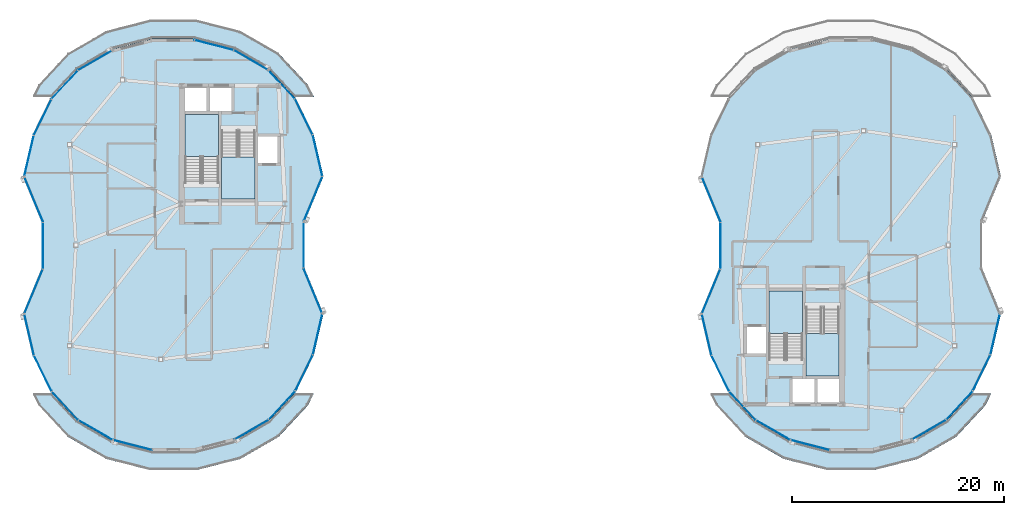
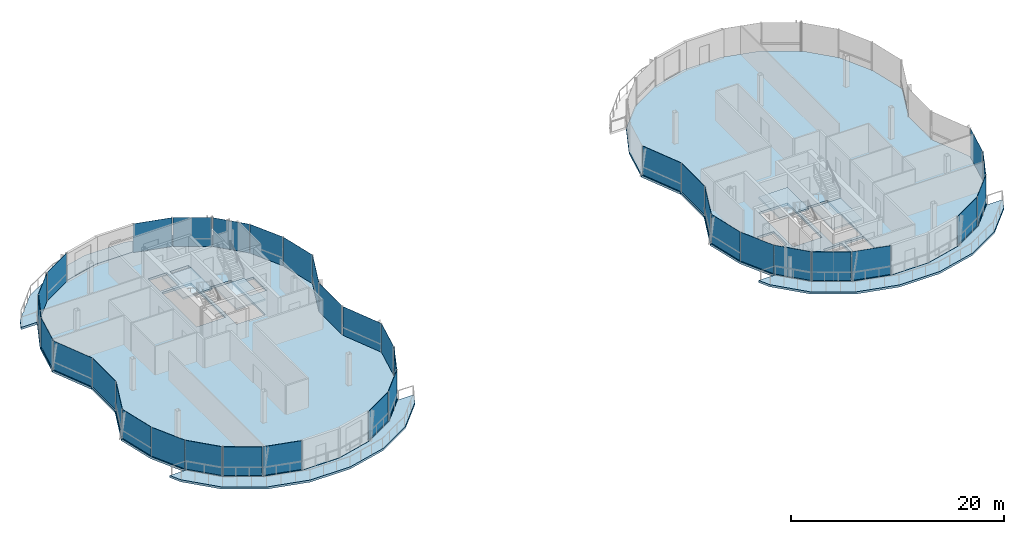
# One storey, part 10 of 20: 36 plates, 9 slabs, 11 elements without a shape of their own.
"""IFC4 building model written with IfcOpenShell, lengths in metres."""

from ifc_helpers import new_model, si_unit, direction, frame, origin, origin_2d, place, context, subcontext, project, spatial, polyline, rectangle, outline, extrude, material, layer, layer_set, type_object, element, aggregate, save


model = new_model("IFC4")

# Units and contexts
model_context = context("Model", 3, precision=1e-05, world=origin(), true_north=direction((0.0, 1.0)))
body_context = subcontext(model_context, "Body", "Model", "MODEL_VIEW")
ifc_project = project(units=[si_unit("LENGTHUNIT", "METRE"), si_unit("AREAUNIT", "SQUARE_METRE"), si_unit("VOLUMEUNIT", "CUBIC_METRE"), si_unit("PLANEANGLEUNIT", "RADIAN"), si_unit("MASSUNIT", "GRAM", prefix="KILO"), si_unit("THERMODYNAMICTEMPERATUREUNIT", "KELVIN"), si_unit("POWERUNIT", "WATT")], contexts=[model_context])

# Site, building, storey
site_placement = place(None, origin())
site = spatial("IfcSite", under=ifc_project, at=site_placement, CompositionType="ELEMENT")
building_placement = place(site_placement, origin())
building = spatial("IfcBuilding", under=site, at=building_placement, Name="Cundina Bronze Exchange", CompositionType="ELEMENT")
storey_placement = place(building_placement, frame((0.0, 0.0, 282.800048828125)))
storey = spatial("IfcBuildingStorey", under=building, at=storey_placement, Name="L75", CompositionType="ELEMENT", Elevation=282.800048828125)

# Curtain wall, plates
ifc_material_1 = material(Name="Anodised Bronze Aluminium 6063-T6", Category="aluminium")
curtain_wall_type = type_object("IfcCurtainWallType", Name="CWS-CRN-TMD", PredefinedType="NOTDEFINED", material=ifc_material_1)
curtain_wall_1_placement = place(storey_placement, origin())
curtain_wall_1 = element("IfcCurtainWall", 1, at=curtain_wall_1_placement, inside=storey, type_object=curtain_wall_type, Name="L75 CW-07 Curtain Wall Run CWR-L75-W1", PredefinedType="NOTDEFINED")
ifc_material_2 = material(Name="Clear Low-E Insulating Glass 26mm", Category="glass")
ifc_layer_1 = layer(ifc_material_2, 0.02587890625, Name="Clear Low-E Insulating Glass 26mm", Category="glass")
ifc_layer_set_1 = layer_set([ifc_layer_1], Name="Clear Low-E Insulating Glass 26mm")
plate_type_1 = type_object("IfcPlateType", Name="PLT-GLZ-CLR26", PredefinedType="CURTAIN_PANEL", material=ifc_layer_set_1)
plate_1_placement = place(storey_placement, frame((-18.794921875, 4.372314453125, 0.02001953125), z_axis=(0.0, 0.0, 1.0), x_axis=(0.383231606105, 0.923652280938, 0.0)))
plate_1 = element("IfcPlate", 2, at=plate_1_placement, type_object=plate_type_1, Name="CW-07 Glazed Panel 1", PredefinedType="CURTAIN_PANEL", context=body_context, shape_type="SweptSolid", body=[
    extrude(rectangle(XDim=4.54150390625, YDim=0.02587890625, at=origin_2d()), origin(), (0.0, 0.0, 1.0), 3.300048828125),
])
plate_2_placement = place(storey_placement, frame((-18.371826171875, 8.427978515625, 0.02001953125), z_axis=(0.0, 0.0, 1.0), x_axis=(-0.226328312319, 0.974051074145, 0.0)))
plate_2 = element("IfcPlate", 3, at=plate_2_placement, type_object=plate_type_1, Name="CW-07 Glazed Panel 2", PredefinedType="CURTAIN_PANEL", context=body_context, shape_type="SweptSolid", body=[
    extrude(rectangle(XDim=3.970458984375, YDim=0.02587890625, at=origin_2d()), origin(), (0.0, 0.0, 1.0), 3.300048828125),
])
plate_3_placement = place(storey_placement, frame((-19.662841796875, 12.099609375, 0.02001953125), z_axis=(0.0, 0.0, 1.0), x_axis=(-0.439343478699, 0.898319156939, 0.0)))
plate_3 = element("IfcPlate", 4, at=plate_3_placement, type_object=plate_type_1, Name="CW-07 Glazed Panel 3", PredefinedType="CURTAIN_PANEL", context=body_context, shape_type="SweptSolid", body=[
    extrude(rectangle(XDim=3.7294921875, YDim=0.02587890625, at=origin_2d()), origin(), (0.0, 0.0, 1.0), 3.300048828125),
])
plate_4_placement = place(storey_placement, frame((-21.75146484375, 15.15966796875, 0.02001953125), z_axis=(0.0, 0.0, 1.0), x_axis=(-0.679082655089, 0.734061814534, 0.0)))
plate_4 = element("IfcPlate", 5, at=plate_4_placement, type_object=plate_type_1, Name="CW-07 Glazed Panel 4", PredefinedType="CURTAIN_PANEL", context=body_context, shape_type="SweptSolid", body=[
    extrude(rectangle(XDim=3.638671875, YDim=0.02587890625, at=origin_2d()), origin(), (0.0, 0.0, 1.0), 3.300048828125),
])
plate_5_placement = place(storey_placement, frame((-28.14990234375, 18.8916015625, 0.02001953125), z_axis=(0.0, 0.0, 1.0), x_axis=(-0.96830912685, 0.249754749424, 0.0)))
plate_5 = element("IfcPlate", 6, at=plate_5_placement, type_object=plate_type_1, Name="CW-07 Glazed Panel 6", PredefinedType="CURTAIN_PANEL", context=body_context, shape_type="SweptSolid", body=[
    extrude(rectangle(XDim=3.822021484375, YDim=0.02587890625, at=origin_2d()), origin(), (0.0, 0.0, 1.0), 3.300048828125),
])

curtain_wall_2_placement = place(storey_placement, origin())
curtain_wall_2 = element("IfcCurtainWall", 7, at=curtain_wall_2_placement, inside=storey, type_object=curtain_wall_type, Name="L75 CW-07 Curtain Wall Run CWR-L75-W2", PredefinedType="NOTDEFINED")
plate_6_placement = place(storey_placement, frame((-39.3623046875, 17.46142578125, 0.02001953125), z_axis=(0.0, 0.0, 1.0), x_axis=(-0.865308932118, -0.501238917081, 0.0)))
plate_6 = element("IfcPlate", 8, at=plate_6_placement, type_object=plate_type_1, Name="CW-07 Glazed Panel 1", PredefinedType="CURTAIN_PANEL", context=body_context, shape_type="SweptSolid", body=[
    extrude(rectangle(XDim=3.70849609375, YDim=0.02587890625, at=origin_2d()), origin(), (0.0, 0.0, 1.0), 3.300048828125),
])
plate_7_placement = place(storey_placement, frame((-42.24853515625, 15.15966796875, 0.02001953125), z_axis=(0.0, 0.0, 1.0), x_axis=(-0.679082655089, -0.734061814534, 0.0)))
plate_7 = element("IfcPlate", 9, at=plate_7_placement, type_object=plate_type_1, Name="CW-07 Glazed Panel 2", PredefinedType="CURTAIN_PANEL", context=body_context, shape_type="SweptSolid", body=[
    extrude(rectangle(XDim=3.638671875, YDim=0.02587890625, at=origin_2d()), origin(), (0.0, 0.0, 1.0), 3.300048828125),
])
plate_8_placement = place(storey_placement, frame((-44.337158203125, 12.099609375, 0.02001953125), z_axis=(0.0, 0.0, 1.0), x_axis=(-0.439343478699, -0.898319156939, 0.0)))
plate_8 = element("IfcPlate", 10, at=plate_8_placement, type_object=plate_type_1, Name="CW-07 Glazed Panel 3", PredefinedType="CURTAIN_PANEL", context=body_context, shape_type="SweptSolid", body=[
    extrude(rectangle(XDim=3.7294921875, YDim=0.02587890625, at=origin_2d()), origin(), (0.0, 0.0, 1.0), 3.300048828125),
])
plate_9_placement = place(storey_placement, frame((-45.205078125, 4.372314453125, 0.02001953125), z_axis=(0.0, 0.0, 1.0), x_axis=(0.383231606105, -0.923652280938, 0.0)))
plate_9 = element("IfcPlate", 11, at=plate_9_placement, type_object=plate_type_1, Name="CW-07 Glazed Panel 5", PredefinedType="CURTAIN_PANEL", context=body_context, shape_type="SweptSolid", body=[
    extrude(rectangle(XDim=4.54150390625, YDim=0.02587890625, at=origin_2d()), origin(), (0.0, 0.0, 1.0), 3.300048828125),
])
plate_10_placement = place(storey_placement, frame((-44.31005859375, 0.0, 0.02001953125), z_axis=(0.0, 0.0, 1.0), x_axis=(0.0, -1.0, 0.0)))
plate_10 = element("IfcPlate", 12, at=plate_10_placement, type_object=plate_type_1, Name="CW-07 Glazed Panel 6", PredefinedType="CURTAIN_PANEL", context=body_context, shape_type="SweptSolid", body=[
    extrude(rectangle(XDim=4.300048828125, YDim=0.02587890625, at=origin_2d()), origin(), (0.0, 0.0, 1.0), 3.300048828125),
])
plate_11_placement = place(storey_placement, frame((-45.205078125, -4.372314453125, 0.02001953125), z_axis=(0.0, 0.0, 1.0), x_axis=(-0.383231606105, -0.923652280938, 0.0)))
plate_11 = element("IfcPlate", 13, at=plate_11_placement, type_object=plate_type_1, Name="CW-07 Glazed Panel 7", PredefinedType="CURTAIN_PANEL", context=body_context, shape_type="SweptSolid", body=[
    extrude(rectangle(XDim=4.54150390625, YDim=0.02587890625, at=origin_2d()), origin(), (0.0, 0.0, 1.0), 3.300048828125),
])

curtain_wall_3_placement = place(storey_placement, origin())
curtain_wall_3 = element("IfcCurtainWall", 14, at=curtain_wall_3_placement, inside=storey, type_object=curtain_wall_type, Name="L75 CW-07 Curtain Wall Run CWR-L75-W3", PredefinedType="NOTDEFINED")
plate_12_placement = place(storey_placement, frame((-45.628173828125, -8.427978515625, 0.02001953125), z_axis=(0.0, 0.0, 1.0), x_axis=(0.226328312319, -0.974051074145, 0.0)))
plate_12 = element("IfcPlate", 15, at=plate_12_placement, type_object=plate_type_1, Name="CW-07 Glazed Panel 1", PredefinedType="CURTAIN_PANEL", context=body_context, shape_type="SweptSolid", body=[
    extrude(rectangle(XDim=3.970458984375, YDim=0.02587890625, at=origin_2d()), origin(), (0.0, 0.0, 1.0), 3.300048828125),
])
plate_13_placement = place(storey_placement, frame((-44.337158203125, -12.099609375, 0.02001953125), z_axis=(0.0, 0.0, 1.0), x_axis=(0.439343478699, -0.898319156939, 0.0)))
plate_13 = element("IfcPlate", 16, at=plate_13_placement, type_object=plate_type_1, Name="CW-07 Glazed Panel 2", PredefinedType="CURTAIN_PANEL", context=body_context, shape_type="SweptSolid", body=[
    extrude(rectangle(XDim=3.7294921875, YDim=0.02587890625, at=origin_2d()), origin(), (0.0, 0.0, 1.0), 3.300048828125),
])
plate_14_placement = place(storey_placement, frame((-39.3623046875, -17.46142578125, 0.02001953125), z_axis=(0.0, 0.0, 1.0), x_axis=(0.865308932118, -0.501238917081, 0.0)))
plate_14 = element("IfcPlate", 17, at=plate_14_placement, type_object=plate_type_1, Name="CW-07 Glazed Panel 4", PredefinedType="CURTAIN_PANEL", context=body_context, shape_type="SweptSolid", body=[
    extrude(rectangle(XDim=3.70849609375, YDim=0.02587890625, at=origin_2d()), origin(), (0.0, 0.0, 1.0), 3.300048828125),
])
plate_15_placement = place(storey_placement, frame((-35.85009765625, -18.8916015625, 0.02001953125), z_axis=(0.0, 0.0, 1.0), x_axis=(0.96830912685, -0.249754749424, 0.0)))
plate_15 = element("IfcPlate", 18, at=plate_15_placement, type_object=plate_type_1, Name="CW-07 Glazed Panel 5", PredefinedType="CURTAIN_PANEL", context=body_context, shape_type="SweptSolid", body=[
    extrude(rectangle(XDim=3.822021484375, YDim=0.02587890625, at=origin_2d()), origin(), (0.0, 0.0, 1.0), 3.300048828125),
])

curtain_wall_4_placement = place(storey_placement, origin())
curtain_wall_4 = element("IfcCurtainWall", 19, at=curtain_wall_4_placement, inside=storey, type_object=curtain_wall_type, Name="L75 CW-07 Curtain Wall Run CWR-L75-W4", PredefinedType="NOTDEFINED")
plate_16_placement = place(storey_placement, frame((-24.6376953125, -17.46142578125, 0.02001953125), z_axis=(0.0, 0.0, 1.0), x_axis=(0.865308932118, 0.501238917081, 0.0)))
plate_16 = element("IfcPlate", 20, at=plate_16_placement, type_object=plate_type_1, Name="CW-07 Glazed Panel 1", PredefinedType="CURTAIN_PANEL", context=body_context, shape_type="SweptSolid", body=[
    extrude(rectangle(XDim=3.70849609375, YDim=0.02587890625, at=origin_2d()), origin(), (0.0, 0.0, 1.0), 3.300048828125),
])
plate_17_placement = place(storey_placement, frame((-19.662841796875, -12.099609375, 0.02001953125), z_axis=(0.0, 0.0, 1.0), x_axis=(0.439343478699, 0.898319156939, 0.0)))
plate_17 = element("IfcPlate", 21, at=plate_17_placement, type_object=plate_type_1, Name="CW-07 Glazed Panel 3", PredefinedType="CURTAIN_PANEL", context=body_context, shape_type="SweptSolid", body=[
    extrude(rectangle(XDim=3.7294921875, YDim=0.02587890625, at=origin_2d()), origin(), (0.0, 0.0, 1.0), 3.300048828125),
])
plate_18_placement = place(storey_placement, frame((-18.371826171875, -8.427978515625, 0.02001953125), z_axis=(0.0, 0.0, 1.0), x_axis=(0.226328312319, 0.974051074145, 0.0)))
plate_18 = element("IfcPlate", 22, at=plate_18_placement, type_object=plate_type_1, Name="CW-07 Glazed Panel 4", PredefinedType="CURTAIN_PANEL", context=body_context, shape_type="SweptSolid", body=[
    extrude(rectangle(XDim=3.970458984375, YDim=0.02587890625, at=origin_2d()), origin(), (0.0, 0.0, 1.0), 3.300048828125),
])
plate_19_placement = place(storey_placement, frame((-18.794921875, -4.372314453125, 0.02001953125), z_axis=(0.0, 0.0, 1.0), x_axis=(-0.383231606105, 0.923652280938, 0.0)))
plate_19 = element("IfcPlate", 23, at=plate_19_placement, type_object=plate_type_1, Name="CW-07 Glazed Panel 5", PredefinedType="CURTAIN_PANEL", context=body_context, shape_type="SweptSolid", body=[
    extrude(rectangle(XDim=4.54150390625, YDim=0.02587890625, at=origin_2d()), origin(), (0.0, 0.0, 1.0), 3.300048828125),
])
plate_20_placement = place(storey_placement, frame((-19.68994140625, 0.0, 0.02001953125), z_axis=(0.0, 0.0, 1.0), x_axis=(0.0, 1.0, 0.0)))
plate_20 = element("IfcPlate", 24, at=plate_20_placement, type_object=plate_type_1, Name="CW-07 Glazed Panel 6", PredefinedType="CURTAIN_PANEL", context=body_context, shape_type="SweptSolid", body=[
    extrude(rectangle(XDim=4.300048828125, YDim=0.02587890625, at=origin_2d()), origin(), (0.0, 0.0, 1.0), 3.300048828125),
])

curtain_wall_5_placement = place(storey_placement, origin())
curtain_wall_5 = element("IfcCurtainWall", 25, at=curtain_wall_5_placement, inside=storey, type_object=curtain_wall_type, Name="L75 CW-07 Curtain Wall Run CWR-L75-E2", PredefinedType="NOTDEFINED")
plate_21_placement = place(storey_placement, frame((18.794921875, 4.372314453125, 0.02001953125), z_axis=(0.0, 0.0, 1.0), x_axis=(0.383231606105, -0.923652280938, 0.0)))
plate_21 = element("IfcPlate", 26, at=plate_21_placement, type_object=plate_type_1, Name="CW-07 Glazed Panel 5", PredefinedType="CURTAIN_PANEL", context=body_context, shape_type="SweptSolid", body=[
    extrude(rectangle(XDim=4.54150390625, YDim=0.02587890625, at=origin_2d()), origin(), (0.0, 0.0, 1.0), 3.300048828125),
])
plate_22_placement = place(storey_placement, frame((19.68994140625, 0.0, 0.02001953125), z_axis=(0.0, 0.0, 1.0), x_axis=(0.0, -1.0, 0.0)))
plate_22 = element("IfcPlate", 27, at=plate_22_placement, type_object=plate_type_1, Name="CW-07 Glazed Panel 6", PredefinedType="CURTAIN_PANEL", context=body_context, shape_type="SweptSolid", body=[
    extrude(rectangle(XDim=4.300048828125, YDim=0.02587890625, at=origin_2d()), origin(), (0.0, 0.0, 1.0), 3.300048828125),
])
plate_23_placement = place(storey_placement, frame((18.794921875, -4.372314453125, 0.02001953125), z_axis=(0.0, 0.0, 1.0), x_axis=(-0.383231606105, -0.923652280938, 0.0)))
plate_23 = element("IfcPlate", 28, at=plate_23_placement, type_object=plate_type_1, Name="CW-07 Glazed Panel 7", PredefinedType="CURTAIN_PANEL", context=body_context, shape_type="SweptSolid", body=[
    extrude(rectangle(XDim=4.54150390625, YDim=0.02587890625, at=origin_2d()), origin(), (0.0, 0.0, 1.0), 3.300048828125),
])
aggregate(curtain_wall_5, [plate_21, plate_22, plate_23])

curtain_wall_6_placement = place(storey_placement, origin())
curtain_wall_6 = element("IfcCurtainWall", 29, at=curtain_wall_6_placement, inside=storey, type_object=curtain_wall_type, Name="L75 CW-07 Curtain Wall Run CWR-L75-E3", PredefinedType="NOTDEFINED")
plate_24_placement = place(storey_placement, frame((18.371826171875, -8.427978515625, 0.02001953125), z_axis=(0.0, 0.0, 1.0), x_axis=(0.226328312319, -0.974051074145, 0.0)))
plate_24 = element("IfcPlate", 30, at=plate_24_placement, type_object=plate_type_1, Name="CW-07 Glazed Panel 1", PredefinedType="CURTAIN_PANEL", context=body_context, shape_type="SweptSolid", body=[
    extrude(rectangle(XDim=3.970458984375, YDim=0.02587890625, at=origin_2d()), origin(), (0.0, 0.0, 1.0), 3.300048828125),
])
plate_25_placement = place(storey_placement, frame((19.662841796875, -12.099609375, 0.02001953125), z_axis=(0.0, 0.0, 1.0), x_axis=(0.439343478699, -0.898319156939, 0.0)))
plate_25 = element("IfcPlate", 31, at=plate_25_placement, type_object=plate_type_1, Name="CW-07 Glazed Panel 2", PredefinedType="CURTAIN_PANEL", context=body_context, shape_type="SweptSolid", body=[
    extrude(rectangle(XDim=3.7294921875, YDim=0.02587890625, at=origin_2d()), origin(), (0.0, 0.0, 1.0), 3.300048828125),
])
plate_26_placement = place(storey_placement, frame((24.6376953125, -17.46142578125, 0.02001953125), z_axis=(0.0, 0.0, 1.0), x_axis=(0.865308932118, -0.501238917081, 0.0)))
plate_26 = element("IfcPlate", 32, at=plate_26_placement, type_object=plate_type_1, Name="CW-07 Glazed Panel 4", PredefinedType="CURTAIN_PANEL", context=body_context, shape_type="SweptSolid", body=[
    extrude(rectangle(XDim=3.70849609375, YDim=0.02587890625, at=origin_2d()), origin(), (0.0, 0.0, 1.0), 3.300048828125),
])
plate_27_placement = place(storey_placement, frame((28.14990234375, -18.8916015625, 0.02001953125), z_axis=(0.0, 0.0, 1.0), x_axis=(0.96830912685, -0.249754749424, 0.0)))
plate_27 = element("IfcPlate", 33, at=plate_27_placement, type_object=plate_type_1, Name="CW-07 Glazed Panel 5", PredefinedType="CURTAIN_PANEL", context=body_context, shape_type="SweptSolid", body=[
    extrude(rectangle(XDim=3.822021484375, YDim=0.02587890625, at=origin_2d()), origin(), (0.0, 0.0, 1.0), 3.300048828125),
])

curtain_wall_7_placement = place(storey_placement, origin())
curtain_wall_7 = element("IfcCurtainWall", 34, at=curtain_wall_7_placement, inside=storey, type_object=curtain_wall_type, Name="L75 CW-07 Curtain Wall Run CWR-L75-E4", PredefinedType="NOTDEFINED")
plate_28_placement = place(storey_placement, frame((39.3623046875, -17.46142578125, 0.02001953125), z_axis=(0.0, 0.0, 1.0), x_axis=(0.865308932118, 0.501238917081, 0.0)))
plate_28 = element("IfcPlate", 35, at=plate_28_placement, type_object=plate_type_1, Name="CW-07 Glazed Panel 1", PredefinedType="CURTAIN_PANEL", context=body_context, shape_type="SweptSolid", body=[
    extrude(rectangle(XDim=3.70849609375, YDim=0.02587890625, at=origin_2d()), origin(), (0.0, 0.0, 1.0), 3.300048828125),
])
plate_29_placement = place(storey_placement, frame((44.337158203125, -12.099609375, 0.02001953125), z_axis=(0.0, 0.0, 1.0), x_axis=(0.439343478699, 0.898319156939, 0.0)))
plate_29 = element("IfcPlate", 36, at=plate_29_placement, type_object=plate_type_1, Name="CW-07 Glazed Panel 3", PredefinedType="CURTAIN_PANEL", context=body_context, shape_type="SweptSolid", body=[
    extrude(rectangle(XDim=3.7294921875, YDim=0.02587890625, at=origin_2d()), origin(), (0.0, 0.0, 1.0), 3.300048828125),
])
plate_30_placement = place(storey_placement, frame((45.628173828125, -8.427978515625, 0.02001953125), z_axis=(0.0, 0.0, 1.0), x_axis=(0.226328312319, 0.974051074145, 0.0)))
plate_30 = element("IfcPlate", 37, at=plate_30_placement, type_object=plate_type_1, Name="CW-07 Glazed Panel 4", PredefinedType="CURTAIN_PANEL", context=body_context, shape_type="SweptSolid", body=[
    extrude(rectangle(XDim=3.970458984375, YDim=0.02587890625, at=origin_2d()), origin(), (0.0, 0.0, 1.0), 3.300048828125),
])

# Plate
ifc_material_3 = material(Name="Dark Bronze Spandrel Glass Panel 32mm", Category="glass")
ifc_layer_2 = layer(ifc_material_3, 0.031982421875, Name="Dark Bronze Spandrel Glass Panel 32mm", Category="glass")
ifc_layer_set_2 = layer_set([ifc_layer_2], Name="Dark Bronze Spandrel Glass Panel 32mm")
plate_type_2 = type_object("IfcPlateType", Name="PLT-SPN-BRZ32", PredefinedType="CURTAIN_PANEL", material=ifc_layer_set_2)
plate_31_placement = place(storey_placement, frame((-24.6376953125, 17.46142578125, 0.02001953125), z_axis=(0.0, 0.0, 1.0), x_axis=(-0.865308932118, 0.501238917081, 0.0)))
plate_31 = element("IfcPlate", 38, at=plate_31_placement, type_object=plate_type_2, Name="CW-07 Glazed Panel 5", PredefinedType="CURTAIN_PANEL", context=body_context, shape_type="SweptSolid", body=[
    extrude(rectangle(XDim=3.70849609375, YDim=0.031982421875, at=origin_2d()), origin(), (0.0, 0.0, 1.0), 3.300048828125),
])

aggregate(curtain_wall_1, [plate_1, plate_2, plate_3, plate_4, plate_31, plate_5])

plate_32_placement = place(storey_placement, frame((-45.628173828125, 8.427978515625, 0.02001953125), z_axis=(0.0, 0.0, 1.0), x_axis=(-0.226328312319, -0.974051074145, 0.0)))
plate_32 = element("IfcPlate", 39, at=plate_32_placement, type_object=plate_type_2, Name="CW-07 Glazed Panel 4", PredefinedType="CURTAIN_PANEL", context=body_context, shape_type="SweptSolid", body=[
    extrude(rectangle(XDim=3.970458984375, YDim=0.031982421875, at=origin_2d()), origin(), (0.0, 0.0, 1.0), 3.300048828125),
])

aggregate(curtain_wall_2, [plate_6, plate_7, plate_8, plate_32, plate_9, plate_10, plate_11])

plate_33_placement = place(storey_placement, frame((-42.24853515625, -15.15966796875, 0.02001953125), z_axis=(0.0, 0.0, 1.0), x_axis=(0.679082655089, -0.734061814534, 0.0)))
plate_33 = element("IfcPlate", 40, at=plate_33_placement, type_object=plate_type_2, Name="CW-07 Glazed Panel 3", PredefinedType="CURTAIN_PANEL", context=body_context, shape_type="SweptSolid", body=[
    extrude(rectangle(XDim=3.638671875, YDim=0.031982421875, at=origin_2d()), origin(), (0.0, 0.0, 1.0), 3.300048828125),
])

aggregate(curtain_wall_3, [plate_12, plate_13, plate_33, plate_14, plate_15])

plate_34_placement = place(storey_placement, frame((-21.75146484375, -15.15966796875, 0.02001953125), z_axis=(0.0, 0.0, 1.0), x_axis=(0.679082655089, 0.734061814534, 0.0)))
plate_34 = element("IfcPlate", 41, at=plate_34_placement, type_object=plate_type_2, Name="CW-07 Glazed Panel 2", PredefinedType="CURTAIN_PANEL", context=body_context, shape_type="SweptSolid", body=[
    extrude(rectangle(XDim=3.638671875, YDim=0.031982421875, at=origin_2d()), origin(), (0.0, 0.0, 1.0), 3.300048828125),
])

aggregate(curtain_wall_4, [plate_16, plate_34, plate_17, plate_18, plate_19, plate_20])

plate_35_placement = place(storey_placement, frame((21.75146484375, -15.15966796875, 0.02001953125), z_axis=(0.0, 0.0, 1.0), x_axis=(0.679082655089, -0.734061814534, 0.0)))
plate_35 = element("IfcPlate", 42, at=plate_35_placement, type_object=plate_type_2, Name="CW-07 Glazed Panel 3", PredefinedType="CURTAIN_PANEL", context=body_context, shape_type="SweptSolid", body=[
    extrude(rectangle(XDim=3.638671875, YDim=0.031982421875, at=origin_2d()), origin(), (0.0, 0.0, 1.0), 3.300048828125),
])

aggregate(curtain_wall_6, [plate_24, plate_25, plate_35, plate_26, plate_27])

plate_36_placement = place(storey_placement, frame((42.24853515625, -15.15966796875, 0.02001953125), z_axis=(0.0, 0.0, 1.0), x_axis=(0.679082655089, 0.734061814534, 0.0)))
plate_36 = element("IfcPlate", 43, at=plate_36_placement, type_object=plate_type_2, Name="CW-07 Glazed Panel 2", PredefinedType="CURTAIN_PANEL", context=body_context, shape_type="SweptSolid", body=[
    extrude(rectangle(XDim=3.638671875, YDim=0.031982421875, at=origin_2d()), origin(), (0.0, 0.0, 1.0), 3.300048828125),
])

aggregate(curtain_wall_7, [plate_28, plate_36, plate_29, plate_30])

# Stair, slab
ifc_material_4 = material(Name="Concrete C40/50", Category="concrete")
stair_type = type_object("IfcStairType", Name="STR-OFF-360", PredefinedType="HALF_TURN_STAIR", material=ifc_material_4)
stair_1_placement = place(storey_placement, origin())
stair_1 = element("IfcStair", 44, at=stair_1_placement, inside=storey, type_object=stair_type, Name="L75 Smokeproof Exit Stair W1", PredefinedType="HALF_TURN_STAIR")
ifc_layer_3 = layer(ifc_material_4, 0.199951171875, Name="Concrete C40/50", Category="concrete")
ifc_layer_set_3 = layer_set([ifc_layer_3], Name="Concrete C40/50")
slab_type_1 = type_object("IfcSlabType", Name="SLB-LND-200", PredefinedType="LANDING", material=ifc_layer_set_3)
slab_1_placement = place(storey_placement, frame((0.0, 0.0, 1.599853515625)))
slab_1 = element("IfcSlab", 45, at=slab_1_placement, type_object=slab_type_1, Name="ST-W1 landing 1", PredefinedType="LANDING", context=body_context, shape_type="SweptSolid", body=[
    extrude(outline(polyline([(-27.739990234375, 8.3701171875), (-27.739990234375, 12.35009765625), (-30.89990234375, 12.35009765625), (-30.89990234375, 8.3701171875), (-27.739990234375, 8.3701171875)])), origin(), (0.0, 0.0, 1.0), 0.2001953125),
])
aggregate(stair_1, [slab_1])

stair_2_placement = place(storey_placement, origin())
stair_2 = element("IfcStair", 46, at=stair_2_placement, inside=storey, type_object=stair_type, Name="L75 Smokeproof Exit Stair W2", PredefinedType="HALF_TURN_STAIR")
slab_2_placement = place(storey_placement, frame((0.0, 0.0, 1.599853515625)))
slab_2 = element("IfcSlab", 47, at=slab_2_placement, type_object=slab_type_1, Name="ST-W2 landing 1", PredefinedType="LANDING", context=body_context, shape_type="SweptSolid", body=[
    extrude(outline(polyline([(-27.43994140625, 8.330078125), (-27.43994140625, 4.35009765625), (-24.280029296875, 4.35009765625), (-24.280029296875, 8.330078125), (-27.43994140625, 8.330078125)])), origin(), (0.0, 0.0, 1.0), 0.2001953125),
])
aggregate(stair_2, [slab_2])

stair_3_placement = place(storey_placement, origin())
stair_3 = element("IfcStair", 48, at=stair_3_placement, inside=storey, type_object=stair_type, Name="L75 Smokeproof Exit Stair E1", PredefinedType="HALF_TURN_STAIR")
slab_3_placement = place(storey_placement, frame((0.0, 0.0, 1.599853515625)))
slab_3 = element("IfcSlab", 49, at=slab_3_placement, type_object=slab_type_1, Name="ST-E1 landing 1", PredefinedType="LANDING", context=body_context, shape_type="SweptSolid", body=[
    extrude(outline(polyline([(27.739990234375, -8.3701171875), (27.739990234375, -12.35009765625), (30.89990234375, -12.35009765625), (30.89990234375, -8.3701171875), (27.739990234375, -8.3701171875)])), origin(), (0.0, 0.0, 1.0), 0.2001953125),
])
aggregate(stair_3, [slab_3])

stair_4_placement = place(storey_placement, origin())
stair_4 = element("IfcStair", 50, at=stair_4_placement, inside=storey, type_object=stair_type, Name="L75 Smokeproof Exit Stair E2", PredefinedType="HALF_TURN_STAIR")
slab_4_placement = place(storey_placement, frame((0.0, 0.0, 1.599853515625)))
slab_4 = element("IfcSlab", 51, at=slab_4_placement, type_object=slab_type_1, Name="ST-E2 landing 1", PredefinedType="LANDING", context=body_context, shape_type="SweptSolid", body=[
    extrude(outline(polyline([(27.43994140625, -8.330078125), (27.43994140625, -4.35009765625), (24.280029296875, -4.35009765625), (24.280029296875, -8.330078125), (27.43994140625, -8.330078125)])), origin(), (0.0, 0.0, 1.0), 0.2001953125),
])
aggregate(stair_4, [slab_4])

# Slabs
ifc_material_5 = material(Name="Concrete C50/60", Category="concrete")
ifc_layer_4 = layer(ifc_material_5, 0.260009765625, Name="Concrete C50/60", Category="concrete")
ifc_layer_set_4 = layer_set([ifc_layer_4], Name="Concrete C50/60")
slab_type_2 = type_object("IfcSlabType", Name="SLB-OFF-260", PredefinedType="FLOOR", material=ifc_layer_set_4)
slab_5_placement = place(storey_placement, frame((0.0, 0.0, -0.260009765625)))
element("IfcSlab", 52, at=slab_5_placement, inside=storey, type_object=slab_type_2, Name="L75 Leg W Structural Floor Slab", PredefinedType="FLOOR", context=body_context, shape_type="SweptSolid", body=[
    extrude(outline(polyline([(-19.590087890625, 2.195068359375), (-17.81494140625, 6.472900390625), (-18.73388671875, 10.427978515625), (-20.412109375, 13.85888671875), (-22.944091796875, 16.595947265625), (-26.23095703125, 18.5), (-30.01904296875, 19.47705078125), (-33.98095703125, 19.47705078125), (-37.76904296875, 18.5), (-41.055908203125, 16.595947265625), (-43.587890625, 13.85888671875), (-45.26611328125, 10.427978515625), (-46.18505859375, 6.472900390625), (-44.409912109375, 2.195068359375), (-44.409912109375, -2.195068359375), (-46.18505859375, -6.472900390625), (-45.26611328125, -10.427978515625), (-43.587890625, -13.85888671875), (-41.055908203125, -16.595947265625), (-37.76904296875, -18.5), (-33.98095703125, -19.47705078125), (-30.01904296875, -19.47705078125), (-26.23095703125, -18.5), (-22.944091796875, -16.595947265625), (-20.412109375, -13.85888671875), (-18.73388671875, -10.427978515625), (-17.81494140625, -6.472900390625), (-19.590087890625, -2.195068359375), (-19.590087890625, 2.195068359375)]), holes=[polyline([(-27.739990234375, 5.85009765625), (-27.739990234375, 12.35009765625), (-30.89990234375, 12.35009765625), (-30.89990234375, 5.85009765625), (-27.739990234375, 5.85009765625)]), polyline([(-27.43994140625, 10.85009765625), (-27.43994140625, 4.35009765625), (-24.280029296875, 4.35009765625), (-24.280029296875, 10.85009765625), (-27.43994140625, 10.85009765625)]), polyline([(-23.97998046875, 10.25), (-22.179931640625, 10.25), (-22.179931640625, 7.75), (-23.97998046875, 7.75), (-23.97998046875, 10.25)]), polyline([(-30.89990234375, 14.949951171875), (-28.85009765625, 14.949951171875), (-28.85009765625, 12.64990234375), (-30.89990234375, 12.64990234375), (-30.89990234375, 14.949951171875)]), polyline([(-28.550048828125, 14.949951171875), (-26.5, 14.949951171875), (-26.5, 12.64990234375), (-28.550048828125, 12.64990234375), (-28.550048828125, 14.949951171875)])]), origin(), (0.0, 0.0, 1.0), 0.260009765625),
])
slab_6_placement = place(storey_placement, frame((0.0, 0.0, -0.260009765625)))
element("IfcSlab", 53, at=slab_6_placement, inside=storey, type_object=slab_type_2, Name="L75 Leg E Structural Floor Slab", PredefinedType="FLOOR", context=body_context, shape_type="SweptSolid", body=[
    extrude(outline(polyline([(44.409912109375, 2.195068359375), (46.18505859375, 6.472900390625), (45.26611328125, 10.427978515625), (43.587890625, 13.85888671875), (41.055908203125, 16.595947265625), (37.76904296875, 18.5), (33.98095703125, 19.47705078125), (30.01904296875, 19.47705078125), (26.23095703125, 18.5), (22.944091796875, 16.595947265625), (20.412109375, 13.85888671875), (18.73388671875, 10.427978515625), (17.81494140625, 6.472900390625), (19.590087890625, 2.195068359375), (19.590087890625, -2.195068359375), (17.81494140625, -6.472900390625), (18.73388671875, -10.427978515625), (20.412109375, -13.85888671875), (22.944091796875, -16.595947265625), (26.23095703125, -18.5), (30.01904296875, -19.47705078125), (33.98095703125, -19.47705078125), (37.76904296875, -18.5), (41.055908203125, -16.595947265625), (43.587890625, -13.85888671875), (45.26611328125, -10.427978515625), (46.18505859375, -6.472900390625), (44.409912109375, -2.195068359375), (44.409912109375, 2.195068359375)]), holes=[polyline([(27.739990234375, -5.85009765625), (27.739990234375, -12.35009765625), (30.89990234375, -12.35009765625), (30.89990234375, -5.85009765625), (27.739990234375, -5.85009765625)]), polyline([(27.43994140625, -10.85009765625), (27.43994140625, -4.35009765625), (24.280029296875, -4.35009765625), (24.280029296875, -10.85009765625), (27.43994140625, -10.85009765625)]), polyline([(22.179931640625, -7.75), (23.97998046875, -7.75), (23.97998046875, -10.25), (22.179931640625, -10.25), (22.179931640625, -7.75)]), polyline([(28.85009765625, -12.64990234375), (30.89990234375, -12.64990234375), (30.89990234375, -14.949951171875), (28.85009765625, -14.949951171875), (28.85009765625, -12.64990234375)]), polyline([(26.5, -12.64990234375), (28.550048828125, -12.64990234375), (28.550048828125, -14.949951171875), (26.5, -14.949951171875), (26.5, -12.64990234375)])]), origin(), (0.0, 0.0, 1.0), 0.260009765625),
])
ifc_layer_5 = layer(ifc_material_4, 0.25, Name="Concrete C40/50", Category="concrete")
ifc_layer_set_5 = layer_set([ifc_layer_5], Name="Concrete C40/50")
slab_type_3 = type_object("IfcSlabType", Name="SLB-TER-250", PredefinedType="FLOOR", material=ifc_layer_set_5)
slab_7_placement = place(storey_placement, frame((0.0, 0.0, -0.25)))
element("IfcSlab", 54, at=slab_7_placement, inside=storey, type_object=slab_type_3, Name="L75 Leg W N Planted Crown Terrace Slab", PredefinedType="FLOOR", context=body_context, shape_type="SweptSolid", body=[
    extrude(outline(polyline([(-44.72412109375, 15.132080078125), (-41.948974609375, 18.1201171875), (-38.341064453125, 20.198974609375), (-34.177978515625, 21.264892578125), (-29.822021484375, 21.264892578125), (-25.658935546875, 20.198974609375), (-22.051025390625, 18.1201171875), (-19.27587890625, 15.132080078125), (-18.722412109375, 14.0), (-20.52197265625, 14.0), (-22.93310546875, 16.606201171875), (-22.93408203125, 16.607177734375), (-22.935302734375, 16.608154296875), (-22.9365234375, 16.60888671875), (-26.223388671875, 18.512939453125), (-26.224609375, 18.513671875), (-26.22607421875, 18.51416015625), (-26.227294921875, 18.514404296875), (-30.015380859375, 19.491455078125), (-30.0166015625, 19.49169921875), (-30.017578125, 19.491943359375), (-30.01904296875, 19.491943359375), (-33.98095703125, 19.491943359375), (-33.982421875, 19.491943359375), (-33.9833984375, 19.49169921875), (-33.984619140625, 19.491455078125), (-37.772705078125, 18.514404296875), (-37.77392578125, 18.51416015625), (-37.775390625, 18.513671875), (-37.776611328125, 18.512939453125), (-41.0634765625, 16.60888671875), (-41.064697265625, 16.608154296875), (-41.06591796875, 16.607177734375), (-41.06689453125, 16.606201171875), (-43.47802734375, 14.0), (-45.277587890625, 14.0), (-44.72412109375, 15.132080078125)])), origin(), (0.0, 0.0, 1.0), 0.25),
])
slab_8_placement = place(storey_placement, frame((0.0, 0.0, -0.25)))
element("IfcSlab", 55, at=slab_8_placement, inside=storey, type_object=slab_type_3, Name="L75 Leg W S Planted Crown Terrace Slab", PredefinedType="FLOOR", context=body_context, shape_type="SweptSolid", body=[
    extrude(outline(polyline([(-19.27587890625, -15.132080078125), (-22.051025390625, -18.1201171875), (-25.658935546875, -20.198974609375), (-29.822021484375, -21.264892578125), (-34.177978515625, -21.264892578125), (-38.341064453125, -20.198974609375), (-41.948974609375, -18.1201171875), (-44.72412109375, -15.132080078125), (-45.277587890625, -14.0), (-43.47802734375, -14.0), (-41.06689453125, -16.606201171875), (-41.06591796875, -16.607177734375), (-41.064697265625, -16.608154296875), (-41.0634765625, -16.60888671875), (-37.776611328125, -18.512939453125), (-37.775390625, -18.513671875), (-37.77392578125, -18.51416015625), (-37.772705078125, -18.514404296875), (-33.984619140625, -19.491455078125), (-33.9833984375, -19.49169921875), (-33.982421875, -19.491943359375), (-33.98095703125, -19.491943359375), (-30.01904296875, -19.491943359375), (-30.017578125, -19.491943359375), (-30.0166015625, -19.49169921875), (-30.015380859375, -19.491455078125), (-26.227294921875, -18.514404296875), (-26.22607421875, -18.51416015625), (-26.224609375, -18.513671875), (-26.223388671875, -18.512939453125), (-22.9365234375, -16.60888671875), (-22.935302734375, -16.608154296875), (-22.93408203125, -16.607177734375), (-22.93310546875, -16.606201171875), (-20.52197265625, -14.0), (-18.722412109375, -14.0), (-19.27587890625, -15.132080078125)])), origin(), (0.0, 0.0, 1.0), 0.25),
])
slab_9_placement = place(storey_placement, frame((0.0, 0.0, -0.25)))
element("IfcSlab", 56, at=slab_9_placement, inside=storey, type_object=slab_type_3, Name="L75 Leg E S Planted Crown Terrace Slab", PredefinedType="FLOOR", context=body_context, shape_type="SweptSolid", body=[
    extrude(outline(polyline([(44.72412109375, -15.132080078125), (41.948974609375, -18.1201171875), (38.341064453125, -20.198974609375), (34.177978515625, -21.264892578125), (29.822021484375, -21.264892578125), (25.658935546875, -20.198974609375), (22.051025390625, -18.1201171875), (19.27587890625, -15.132080078125), (18.722412109375, -14.0), (20.52197265625, -14.0), (22.93310546875, -16.606201171875), (22.93408203125, -16.607177734375), (22.935302734375, -16.608154296875), (22.9365234375, -16.60888671875), (26.223388671875, -18.512939453125), (26.224609375, -18.513671875), (26.22607421875, -18.51416015625), (26.227294921875, -18.514404296875), (30.015380859375, -19.491455078125), (30.0166015625, -19.49169921875), (30.017578125, -19.491943359375), (30.01904296875, -19.491943359375), (33.98095703125, -19.491943359375), (33.982421875, -19.491943359375), (33.9833984375, -19.49169921875), (33.984619140625, -19.491455078125), (37.772705078125, -18.514404296875), (37.77392578125, -18.51416015625), (37.775390625, -18.513671875), (37.776611328125, -18.512939453125), (41.0634765625, -16.60888671875), (41.064697265625, -16.608154296875), (41.06591796875, -16.607177734375), (41.06689453125, -16.606201171875), (43.47802734375, -14.0), (45.277587890625, -14.0), (44.72412109375, -15.132080078125)])), origin(), (0.0, 0.0, 1.0), 0.25),
])

save(model, "model.ifc")
